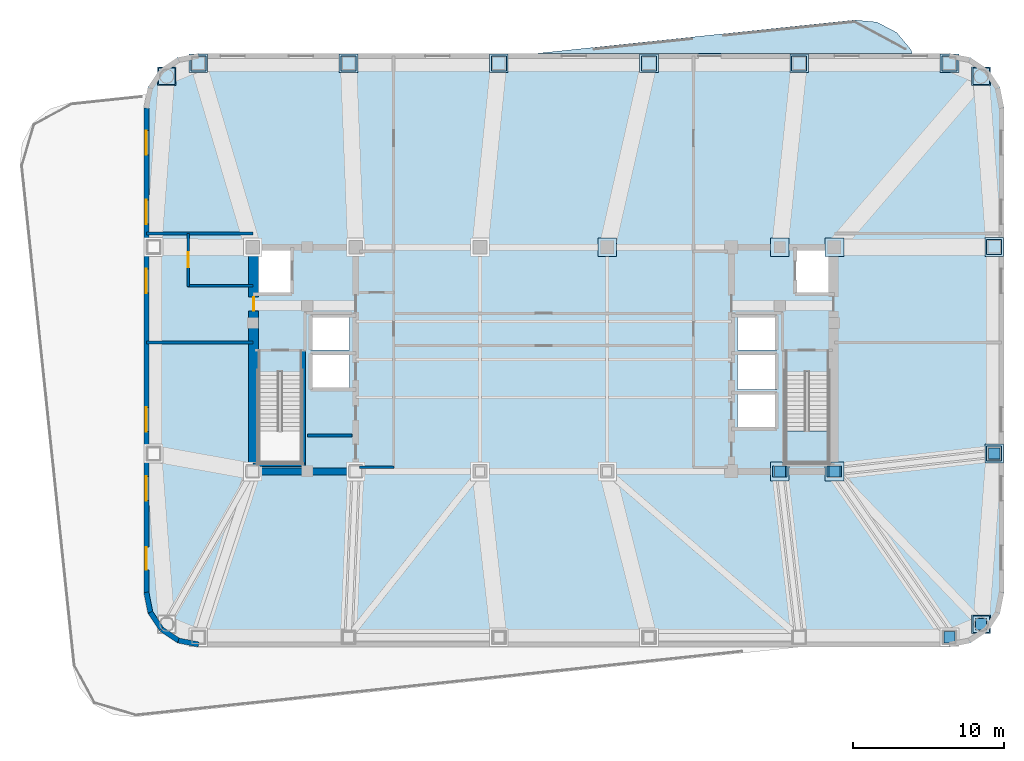
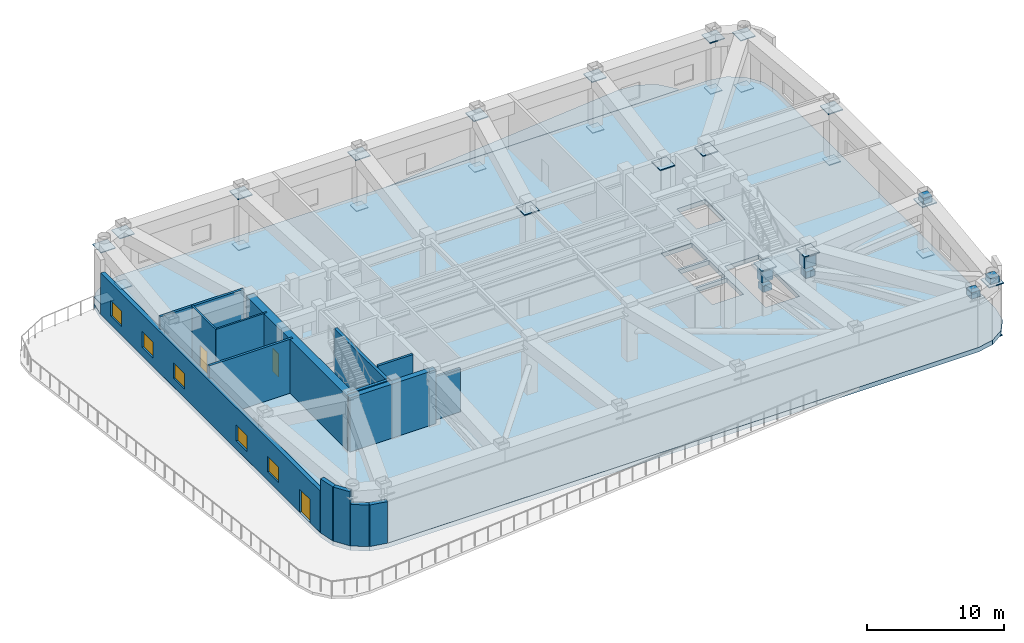
# One storey, part 3 of 10: 34 plates, 15 walls, 5 windows, 3 doors, 3 slabs, 8 openings, 1 element without a shape of its own.
"""IFC4 building model written with IfcOpenShell, lengths in metres."""

from ifc_helpers import new_model, si_unit, direction, frame, frame_2d, origin, origin_2d, place, context, subcontext, project, spatial, polyline, rectangle, outline, extrude, material, layer, layer_set, type_object, element, fill, aggregate, save


model = new_model("IFC4")

# Units and contexts
model_context = context("Model", 3, precision=1e-05, world=origin(), true_north=direction((0.0, 1.0)))
body_context = subcontext(model_context, "Body", "Model", "MODEL_VIEW")
ifc_project = project(units=[si_unit("LENGTHUNIT", "METRE"), si_unit("AREAUNIT", "SQUARE_METRE"), si_unit("VOLUMEUNIT", "CUBIC_METRE"), si_unit("PLANEANGLEUNIT", "RADIAN"), si_unit("MASSUNIT", "GRAM", prefix="KILO")], contexts=[model_context])

# Site, building, storey
site_placement = place(None, origin())
site = spatial("IfcSite", under=ifc_project, at=site_placement, CompositionType="ELEMENT")
building_placement = place(site_placement, origin())
building = spatial("IfcBuilding", under=site, at=building_placement, Name="Voryun Gate Residences", CompositionType="ELEMENT")
storey_placement = place(building_placement, frame((0.0, 0.0, 195.0)))
storey = spatial("IfcBuildingStorey", under=building, at=storey_placement, Name="L48", CompositionType="ELEMENT", Elevation=195.0)

# Plates
ifc_material_1 = material(Name="Steel SM355", Category="steel")
ifc_layer_1 = layer(ifc_material_1, 0.02490234375, Name="PLT_END_CAP_25")
ifc_layer_set_1 = layer_set([ifc_layer_1], Name="Steel SM355")
plate_type_1 = type_object("IfcPlateType", Name="PLT_END_CAP_25", PredefinedType="USERDEFINED", material=ifc_layer_set_1)
plate_1_placement = place(storey_placement, frame((28.885986328125, -17.486083984375, -0.43994140625), z_axis=(0.0, 0.0, 1.0), x_axis=(1.0, 0.0, 0.0)))
element("IfcPlate", 1, at=plate_1_placement, inside=storey, type_object=plate_type_1, Name="L48 Hollow Member End-Cap Plate EC-589", ObjectType="BASE_PLATE", PredefinedType="USERDEFINED", context=body_context, shape_type="SweptSolid", body=[
    extrude(rectangle(XDim=1.090087890625, YDim=1.090087890625, at=origin_2d()), origin(), (0.0, 0.0, 1.0), 0.080078125),
])
for number, where, z_axis, x_axis, name in (
    (2, (29.75, -6.221923828125, -0.43994140625), (0.0, 0.0, 1.0), (1.0, 0.0, 0.0), "L48 Hollow Member End-Cap Plate EC-590"),
    (3, (29.75, 7.422119140625, -0.43994140625), (0.0, 0.0, 1.0), (1.0, 0.0, 0.0), "L48 Hollow Member End-Cap Plate EC-591"),
):
    element("IfcPlate", number, at=place(storey_placement, frame(where, z_axis=z_axis, x_axis=x_axis)), inside=storey, type_object=plate_type_1, Name=name, ObjectType="BASE_PLATE", PredefinedType="USERDEFINED", context=body_context, shape_type="SweptSolid", body=[
        extrude(rectangle(XDim=0.989990234375, YDim=0.989990234375, at=origin_2d()), origin(), (0.0, 0.0, 1.0), 0.080078125),
    ])
plate_2_placement = place(storey_placement, frame((28.885986328125, 18.68603515625, -0.43994140625), z_axis=(0.0, 0.0, 1.0), x_axis=(1.0, 0.0, 0.0)))
element("IfcPlate", 4, at=plate_2_placement, inside=storey, type_object=plate_type_1, Name="L48 Hollow Member End-Cap Plate EC-592", ObjectType="BASE_PLATE", PredefinedType="USERDEFINED", context=body_context, shape_type="SweptSolid", body=[
    extrude(rectangle(XDim=1.090087890625, YDim=1.090087890625, at=origin_2d()), origin(), (0.0, 0.0, 1.0), 0.080078125),
])
for number, where, z_axis, x_axis, name in (
    (5, (26.800048828125, 19.550048828125, -0.43994140625), (0.0, 0.0, 1.0), (1.0, 0.0, 0.0), "L48 Hollow Member End-Cap Plate EC-593"),
    (6, (16.8798828125, 19.550048828125, -0.43994140625), (0.0, 0.0, 1.0), (1.0, 0.0, 0.0), "L48 Hollow Member End-Cap Plate EC-594"),
    (7, (6.9599609375, 19.550048828125, -0.43994140625), (0.0, 0.0, 1.0), (1.0, 0.0, 0.0), "L48 Hollow Member End-Cap Plate EC-595"),
    (8, (-2.9599609375, 19.550048828125, -0.43994140625), (0.0, 0.0, 1.0), (1.0, 0.0, 0.0), "L48 Hollow Member End-Cap Plate EC-596"),
    (9, (-12.8798828125, 19.550048828125, -0.43994140625), (0.0, 0.0, 1.0), (1.0, 0.0, 0.0), "L48 Hollow Member End-Cap Plate EC-597"),
    (10, (-22.800048828125, 19.550048828125, -0.43994140625), (0.0, 0.0, 1.0), (1.0, 0.0, 0.0), "L48 Hollow Member End-Cap Plate EC-598"),
):
    element("IfcPlate", number, at=place(storey_placement, frame(where, z_axis=z_axis, x_axis=x_axis)), inside=storey, type_object=plate_type_1, Name=name, ObjectType="BASE_PLATE", PredefinedType="USERDEFINED", context=body_context, shape_type="SweptSolid", body=[
        extrude(rectangle(XDim=0.989990234375, YDim=0.989990234375, at=origin_2d()), origin(), (0.0, 0.0, 1.0), 0.080078125),
    ])
plate_3_placement = place(storey_placement, frame((-24.885986328125, 18.68603515625, -0.43994140625), z_axis=(0.0, 0.0, 1.0), x_axis=(1.0, 0.0, 0.0)))
element("IfcPlate", 11, at=plate_3_placement, inside=storey, type_object=plate_type_1, Name="L48 Hollow Member End-Cap Plate EC-599", ObjectType="BASE_PLATE", PredefinedType="USERDEFINED", context=body_context, shape_type="SweptSolid", body=[
    extrude(rectangle(XDim=1.090087890625, YDim=1.090087890625, at=origin_2d()), origin(), (0.0, 0.0, 1.0), 0.080078125),
])
for number, where, z_axis, x_axis, name in (
    (12, (28.885986328125, -17.486083984375, 4.2099609375), (0.0, 0.0, 1.0), (1.0, 0.0, 0.0), "L48 Hollow Member End-Cap Plate EC-607"),
    (13, (29.75, -6.221923828125, 4.2099609375), (0.0, 0.0, 1.0), (1.0, 0.0, 0.0), "L48 Hollow Member End-Cap Plate EC-608"),
    (14, (29.75, 7.422119140625, 4.2099609375), (0.0, 0.0, 1.0), (1.0, 0.0, 0.0), "L48 Hollow Member End-Cap Plate EC-609"),
    (15, (28.885986328125, 18.68603515625, 4.2099609375), (0.0, 0.0, 1.0), (1.0, 0.0, 0.0), "L48 Hollow Member End-Cap Plate EC-610"),
    (16, (26.800048828125, 19.550048828125, 4.2099609375), (0.0, 0.0, 1.0), (1.0, 0.0, 0.0), "L48 Hollow Member End-Cap Plate EC-611"),
    (17, (16.8798828125, 19.550048828125, 4.2099609375), (0.0, 0.0, 1.0), (1.0, 0.0, 0.0), "L48 Hollow Member End-Cap Plate EC-612"),
    (18, (6.9599609375, 19.550048828125, 4.2099609375), (0.0, 0.0, 1.0), (1.0, 0.0, 0.0), "L48 Hollow Member End-Cap Plate EC-613"),
    (19, (-2.9599609375, 19.550048828125, 4.2099609375), (0.0, 0.0, 1.0), (1.0, 0.0, 0.0), "L48 Hollow Member End-Cap Plate EC-614"),
    (20, (-12.8798828125, 19.550048828125, 4.2099609375), (0.0, 0.0, 1.0), (1.0, 0.0, 0.0), "L48 Hollow Member End-Cap Plate EC-615"),
    (21, (-22.800048828125, 19.550048828125, 4.2099609375), (0.0, 0.0, 1.0), (1.0, 0.0, 0.0), "L48 Hollow Member End-Cap Plate EC-616"),
    (22, (-24.885986328125, 18.68603515625, 4.2099609375), (0.0, 0.0, 1.0), (1.0, 0.0, 0.0), "L48 Hollow Member End-Cap Plate EC-617"),
    (23, (15.60009765625, -7.39990234375, 4.2099609375), (0.0, 0.0, 1.0), (1.0, 0.0, 0.0), "L48 Hollow Member End-Cap Plate EC-627"),
    (24, (19.199951171875, -7.39990234375, 4.2099609375), (0.0, 0.0, 1.0), (1.0, 0.0, 0.0), "L48 Hollow Member End-Cap Plate EC-628"),
    (25, (19.199951171875, 7.39990234375, 4.2099609375), (0.0, 0.0, 1.0), (1.0, 0.0, 0.0), "L48 Hollow Member End-Cap Plate EC-629"),
    (26, (15.60009765625, 7.39990234375, 4.2099609375), (0.0, 0.0, 1.0), (1.0, 0.0, 0.0), "L48 Hollow Member End-Cap Plate EC-630"),
    (27, (4.199951171875, 7.39990234375, 4.2099609375), (0.0, 0.0, 1.0), (1.0, 0.0, 0.0), "L48 Hollow Member End-Cap Plate EC-631"),
):
    element("IfcPlate", number, at=place(storey_placement, frame(where, z_axis=z_axis, x_axis=x_axis)), inside=storey, type_object=plate_type_1, Name=name, ObjectType="BASE_PLATE", PredefinedType="USERDEFINED", context=body_context, shape_type="SweptSolid", body=[
        extrude(rectangle(XDim=1.239990234375, YDim=1.239990234375, at=origin_2d()), origin(), (0.0, 0.0, 1.0), 0.080078125),
    ])
for number, where, z_axis, x_axis, name in (
    (28, (15.60009765625, -7.39990234375, 2.119873046875), (0.0, 0.0, 1.0), (1.0, 0.0, 0.0), "L48 Brace Node Connection Plate BN-642"),
    (29, (26.800048828125, -18.35009765625, 4.27001953125), (0.0, 0.0, 1.0), (1.0, 0.0, 0.0), "L48 Brace Node Connection Plate BN-644"),
    (30, (29.75, -6.221923828125, 4.27001953125), (0.0, 0.0, 1.0), (1.0, 0.0, 0.0), "L48 Brace Node Connection Plate BN-646"),
):
    element("IfcPlate", number, at=place(storey_placement, frame(where, z_axis=z_axis, x_axis=x_axis)), inside=storey, type_object=plate_type_1, Name=name, ObjectType="BASE_PLATE", PredefinedType="USERDEFINED", context=body_context, shape_type="SweptSolid", body=[
        extrude(rectangle(XDim=0.739990234375, YDim=0.739990234375, at=origin_2d()), origin(), (0.0, 0.0, 1.0), 0.56005859375),
    ])
ifc_material_2 = material(Name="Steel SM420", Category="steel")
ifc_layer_2 = layer(ifc_material_2, 0.035888671875, Name="PLT_OUTRIGGER_GUSSET_36")
ifc_layer_set_2 = layer_set([ifc_layer_2], Name="Steel SM420")
plate_type_2 = type_object("IfcPlateType", Name="PLT_OUTRIGGER_GUSSET_36", PredefinedType="USERDEFINED", material=ifc_layer_set_2)
for number, where, z_axis, x_axis, name in (
    (31, (15.60009765625, -7.39990234375, 3.0), (0.0, 0.0, 1.0), (1.0, 0.0, 0.0), "L48 Outrigger Gusset Plate ON-S5"),
    (32, (19.199951171875, -7.39990234375, 3.0), (0.0, 0.0, 1.0), (1.0, 0.0, 0.0), "L48 Outrigger Gusset Plate ON-S6"),
):
    element("IfcPlate", number, at=place(storey_placement, frame(where, z_axis=z_axis, x_axis=x_axis)), inside=storey, type_object=plate_type_2, Name=name, ObjectType="GUSSET_PLATE", PredefinedType="USERDEFINED", context=body_context, shape_type="SweptSolid", body=[
        extrude(rectangle(XDim=0.949951171875, YDim=0.719970703125, at=origin_2d()), origin(), (0.0, 0.0, 1.0), 0.949951171875),
    ])
for number, where, z_axis, x_axis, name in (
    (33, (19.199951171875, -7.39990234375, 2.119873046875), (0.0, 0.0, 1.0), (1.0, 0.0, 0.0), "L48 Brace Node Connection Plate BN-643"),
    (34, (28.885986328125, -17.486083984375, 4.27001953125), (0.0, 0.0, 1.0), (1.0, 0.0, 0.0), "L48 Brace Node Connection Plate BN-645"),
):
    element("IfcPlate", number, at=place(storey_placement, frame(where, z_axis=z_axis, x_axis=x_axis)), inside=storey, type_object=plate_type_2, Name=name, ObjectType="GUSSET_PLATE", PredefinedType="USERDEFINED", context=body_context, shape_type="SweptSolid", body=[
        extrude(rectangle(XDim=0.739990234375, YDim=0.739990234375, at=origin_2d()), origin(), (0.0, 0.0, 1.0), 0.56005859375),
    ])

# Stair, slab
ifc_material_3 = material(Name="Concrete C40/50", Category="concrete")
stair_type = type_object("IfcStairType", Name="STR_CORE_DOGLEG_1350", PredefinedType="HALF_TURN_STAIR", material=ifc_material_3)
stair_placement = place(storey_placement, origin())
stair = element("IfcStair", 35, at=stair_placement, inside=storey, type_object=stair_type, Name="L48 Special Escape Stair ST-E1", PredefinedType="HALF_TURN_STAIR")
ifc_material_4 = material(Name="Concrete C40/50", Category="concrete")
ifc_layer_3 = layer(ifc_material_4, 0.199951171875, Name="SLB_STAIR_LANDING_200")
ifc_layer_set_3 = layer_set([ifc_layer_3], Name="Concrete C40/50")
slab_type_1 = type_object("IfcSlabType", Name="SLB_STAIR_LANDING_200", PredefinedType="LANDING", material=ifc_layer_set_3)
slab_1_placement = place(storey_placement, frame((0.0, 0.0, 2.39990234375)))
slab_1 = element("IfcSlab", 36, at=slab_1_placement, type_object=slab_type_1, Name="ST-E1 landing 1", PredefinedType="LANDING", context=body_context, shape_type="SweptSolid", body=[
    extrude(outline(polyline([(15.97509765625, -4.719970703125), (15.97509765625, -6.85009765625), (18.824951171875, -6.85009765625), (18.824951171875, -4.719970703125), (15.97509765625, -4.719970703125)])), origin(), (0.0, 0.0, 1.0), 0.2001953125),
])
aggregate(stair, [slab_1])

# Slabs
ifc_material_5 = material(Name="Concrete C40/50", Category="concrete")
ifc_layer_4 = layer(ifc_material_5, 0.239990234375, Name="SLB_TERRACE_ROOF_240")
ifc_layer_set_4 = layer_set([ifc_layer_4], Name="Concrete C40/50")
slab_type_2 = type_object("IfcSlabType", Name="SLB_TERRACE_ROOF_240", PredefinedType="ROOF", material=ifc_layer_set_4)
slab_2_placement = place(storey_placement, frame((0.0, 0.0, -0.239990234375)))
element("IfcSlab", 37, at=slab_2_placement, inside=storey, type_object=slab_type_2, Name="Spiralling Setback Sky-Garden Terrace Roof 1", PredefinedType="ROOF", context=body_context, shape_type="SweptSolid", body=[
    extrude(outline(polyline([(20.525146484375, 22.406005859375), (22.001708984375, 22.270263671875), (23.313720703125, 21.580078125), (24.261962890625, 20.43994140625), (24.3349609375, 20.205078125), (-0.415771484375, 20.205078125), (20.525146484375, 22.406005859375)])), origin(), (0.0, 0.0, 1.0), 0.239990234375),
])
ifc_material_6 = material(Name="Concrete C50/60", Category="concrete")
ifc_layer_5 = layer(ifc_material_6, 0.39990234375, Name="SLB_XFER_400")
ifc_layer_set_5 = layer_set([ifc_layer_5], Name="Concrete C50/60")
slab_type_3 = type_object("IfcSlabType", Name="SLB_XFER_400", PredefinedType="FLOOR", material=ifc_layer_set_5)
slab_3_placement = place(storey_placement, frame((0.0, 0.0, -0.39990234375)))
element("IfcSlab", 38, at=slab_3_placement, inside=storey, type_object=slab_type_3, Name="L48 Structural Floor Slab", PredefinedType="FLOOR", context=body_context, shape_type="SweptSolid", body=[
    extrude(outline(polyline([(-22.800048828125, -19.0), (-24.177734375, -18.72607421875), (-25.345458984375, -17.945556640625), (-26.1259765625, -16.777587890625), (-26.39990234375, -15.39990234375), (-26.39990234375, 16.60009765625), (-26.1259765625, 17.9775390625), (-25.345458984375, 19.1455078125), (-24.177734375, 19.926025390625), (-22.800048828125, 20.199951171875), (26.800048828125, 20.199951171875), (28.177734375, 19.926025390625), (29.345458984375, 19.1455078125), (30.1259765625, 17.9775390625), (30.39990234375, 16.60009765625), (30.39990234375, -15.39990234375), (30.1259765625, -16.777587890625), (29.345458984375, -17.945556640625), (28.177734375, -18.72607421875), (26.800048828125, -19.0), (-22.800048828125, -19.0)]), holes=[polyline([(-15.97509765625, -6.85009765625), (-15.97509765625, -0.840087890625), (-18.824951171875, -0.840087890625), (-18.824951171875, -6.85009765625), (-15.97509765625, -6.85009765625)]), polyline([(18.824951171875, -6.85009765625), (18.824951171875, -0.840087890625), (15.97509765625, -0.840087890625), (15.97509765625, -6.85009765625), (18.824951171875, -6.85009765625)]), polyline([(15.39990234375, -2.199951171875), (12.800048828125, -2.199951171875), (12.800048828125, -4.60009765625), (15.39990234375, -4.60009765625), (15.39990234375, -2.199951171875)]), polyline([(-12.800048828125, 0.39990234375), (-15.39990234375, 0.39990234375), (-15.39990234375, -2.0), (-12.800048828125, -2.0), (-12.800048828125, 0.39990234375)]), polyline([(15.39990234375, 0.39990234375), (12.800048828125, 0.39990234375), (12.800048828125, -2.0), (15.39990234375, -2.0), (15.39990234375, 0.39990234375)]), polyline([(-12.800048828125, 2.89990234375), (-15.39990234375, 2.89990234375), (-15.39990234375, 0.60009765625), (-12.800048828125, 0.60009765625), (-12.800048828125, 2.89990234375)]), polyline([(15.39990234375, 2.89990234375), (12.800048828125, 2.89990234375), (12.800048828125, 0.60009765625), (15.39990234375, 0.60009765625), (15.39990234375, 2.89990234375)]), polyline([(-16.60009765625, 4.300048828125), (-16.60009765625, 7.199951171875), (-19.0, 7.199951171875), (-19.0, 4.300048828125), (-16.60009765625, 4.300048828125)]), polyline([(19.0, 4.300048828125), (19.0, 7.199951171875), (16.60009765625, 7.199951171875), (16.60009765625, 4.300048828125), (19.0, 4.300048828125)])]), origin(), (0.0, 0.0, 1.0), 0.39990234375),
])

# Wall
ifc_material_7 = material(Name="Concrete C50/60", Category="concrete")
ifc_layer_6 = layer(ifc_material_7, 0.449951171875, Name="CW_CORE_450")
ifc_layer_set_6 = layer_set([ifc_layer_6], Name="Concrete C50/60")
wall_type_1 = type_object("IfcWallType", Name="CW_CORE_450", PredefinedType="SHEAR", material=ifc_layer_set_6)
wall_1_placement = place(storey_placement, frame((-19.425048828125, -7.39990234375, 0.0), z_axis=(0.0, 0.0, 1.0), x_axis=(1.0, 0.0, 0.0)))
element("IfcWall", 39, at=wall_1_placement, inside=storey, type_object=wall_type_1, Name="L48 Core shear wall CW-L48-WS", PredefinedType="SHEAR", context=body_context, shape_type="SweptSolid", body=[
    extrude(rectangle(XDim=7.25, YDim=0.449951171875, at=frame_2d((3.625, 0.0))), origin(), (0.0, 0.0, 1.0), 4.800048828125),
])

# Wall, opening, door
ifc_material_8 = material(Name="Concrete C60/75", Category="concrete")
ifc_layer_7 = layer(ifc_material_8, 0.64990234375, Name="CW_CORE_650")
ifc_layer_set_7 = layer_set([ifc_layer_7], Name="Concrete C60/75")
wall_type_2 = type_object("IfcWallType", Name="CW_CORE_650", PredefinedType="SHEAR", material=ifc_layer_set_7)
wall_2_placement = place(storey_placement, frame((-19.14501953125, -7.39990234375, 0.0), z_axis=(0.0, 0.0, 1.0), x_axis=(0.0, 1.0, 0.0)))
wall_2 = element("IfcWall", 40, at=wall_2_placement, inside=storey, type_object=wall_type_2, Name="L48 Core shear wall CW-L48-WW", PredefinedType="SHEAR", context=body_context, shape_type="SweptSolid", body=[
    extrude(rectangle(XDim=14.7998046875, YDim=0.64990234375, at=frame_2d((7.39990234375, 0.0))), origin(), (0.0, 0.0, 1.0), 4.800048828125),
])
opening_1_placement = place(wall_2_placement, frame((10.60009765625, 0.0, 0.0)))
opening_1 = element("IfcOpeningElement", 41, at=opening_1_placement, cuts=wall_2, Name="Opening D-FD60-4", PredefinedType="OPENING", context=body_context, shape_type="SweptSolid", body=[
    extrude(rectangle(XDim=0.89990234375, YDim=2.050048828125, at=frame_2d((0.449951171875, 1.02490234375))), frame((0.0, 0.3349609375, 0.0), z_axis=(0.0, -1.0, 0.0), x_axis=(1.0, 0.0, 0.0)), (0.0, 0.0, 1.0), 0.669921875),
])
ifc_material_9 = material(Name="Painted steel fire door", Category="steel")
door_type_1 = type_object("IfcDoorType", Name="DR_FD60_RISER_900", OperationType="NOTDEFINED", PredefinedType="DOOR", material=ifc_material_9)
door_1_placement = place(opening_1_placement, origin())
door_1 = element("IfcDoor", 42, at=door_1_placement, inside=storey, type_object=door_type_1, Name="Door DR-L48-STREF-W", OperationType="SINGLE_SWING_LEFT", OverallHeight=2.050048828125, OverallWidth=0.89990234375, PredefinedType="DOOR", context=body_context, shape_type="SweptSolid", body=[
    extrude(rectangle(XDim=0.89990234375, YDim=2.050048828125, at=frame_2d((0.449951171875, 1.02490234375))), frame((0.0, 0.02490234375, 0.0), z_axis=(0.0, -1.0, 0.0), x_axis=(1.0, 0.0, 0.0)), (0.0, 0.0, 1.0), 0.050048828125),
])
fill(opening_1, door_1)

# Walls
ifc_material_10 = material(Name="Gypsum acoustic fireboard")
ifc_layer_8 = layer(ifc_material_10, 0.179931640625, Name="W_CORR_RATED_180")
ifc_layer_set_8 = layer_set([ifc_layer_8], Name="Gypsum acoustic fireboard")
wall_type_3 = type_object("IfcWallType", Name="W_CORR_RATED_180", PredefinedType="PARTITIONING", material=ifc_layer_set_8)
wall_3_placement = place(storey_placement, frame((-12.14990234375, -7.1201171875, 0.0), z_axis=(0.0, 0.0, 1.0), x_axis=(1.0, 0.0, 0.0)))
element("IfcWall", 43, at=wall_3_placement, inside=storey, type_object=wall_type_3, Name="Partition wall WP-L48-PLBS-W", PredefinedType="PARTITIONING", context=body_context, shape_type="SweptSolid", body=[
    extrude(rectangle(XDim=2.27001953125, YDim=0.179931640625, at=frame_2d((1.135009765625, 0.0))), origin(), (0.0, 0.0, 1.0), 3.840087890625),
])
ifc_material_11 = material(Name="Charcoal terracotta masonry", Category="masonry")
ifc_layer_9 = layer(ifc_material_11, 0.340087890625, Name="W_EXT_TERRACOTTA_340")
ifc_layer_set_9 = layer_set([ifc_layer_9], Name="Charcoal terracotta masonry")
wall_type_4 = type_object("IfcWallType", Name="W_EXT_TERRACOTTA_340", PredefinedType="ELEMENTEDWALL", material=ifc_layer_set_9)
wall_4_placement = place(storey_placement, frame((-22.783203125, -18.830078125, 0.0), z_axis=(0.0, 0.0, 1.0), x_axis=(-0.980788153188, 0.195075878998, 0.0)))
element("IfcWall", 44, at=wall_4_placement, inside=storey, type_object=wall_type_4, Name="Exterior wall WEXT-L48-02", PredefinedType="ELEMENTEDWALL", context=body_context, shape_type="SweptSolid", body=[
    extrude(rectangle(XDim=1.354248046875, YDim=0.340087890625, at=frame_2d((0.67724609375, 0.0))), origin(), (0.0, 0.0, 1.0), 3.68994140625),
])
wall_5_placement = place(storey_placement, frame((-24.111328125, -18.56591796875, 0.0), z_axis=(0.0, 0.0, 1.0), x_axis=(-0.831403586725, 0.555669034571, 0.0)))
element("IfcWall", 45, at=wall_5_placement, inside=storey, type_object=wall_type_4, Name="Exterior wall WEXT-L48-03", PredefinedType="ELEMENTEDWALL", context=body_context, shape_type="SweptSolid", body=[
    extrude(rectangle(XDim=1.3369140625, YDim=0.340087890625, at=frame_2d((0.66845703125, 0.0))), origin(), (0.0, 0.0, 1.0), 3.68994140625),
])
wall_6_placement = place(storey_placement, frame((-25.222900390625, -17.822998046875, 0.0), z_axis=(0.0, 0.0, 1.0), x_axis=(-0.555584683399, 0.831459956686, 0.0)))
element("IfcWall", 46, at=wall_6_placement, inside=storey, type_object=wall_type_4, Name="Exterior wall WEXT-L48-04", PredefinedType="ELEMENTEDWALL", context=body_context, shape_type="SweptSolid", body=[
    extrude(rectangle(XDim=1.337158203125, YDim=0.340087890625, at=frame_2d((0.66845703125, 0.0))), origin(), (0.0, 0.0, 1.0), 4.800048828125),
])
wall_7_placement = place(storey_placement, frame((-25.9658203125, -16.711181640625, 0.0), z_axis=(0.0, 0.0, 1.0), x_axis=(-0.195110379894, 0.98078129043, 0.0)))
element("IfcWall", 47, at=wall_7_placement, inside=storey, type_object=wall_type_4, Name="Exterior wall WEXT-L48-05", PredefinedType="ELEMENTEDWALL", context=body_context, shape_type="SweptSolid", body=[
    extrude(rectangle(XDim=1.35400390625, YDim=0.340087890625, at=frame_2d((0.677001953125, 0.0))), origin(), (0.0, 0.0, 1.0), 4.800048828125),
])

# Wall, openings, door, windows
wall_8_placement = place(storey_placement, frame((-26.22998046875, -15.38330078125, 0.0), z_axis=(0.0, 0.0, 1.0), x_axis=(0.0, 1.0, 0.0)))
wall_8 = element("IfcWall", 48, at=wall_8_placement, inside=storey, type_object=wall_type_4, Name="Exterior wall WEXT-L48-06", PredefinedType="ELEMENTEDWALL", context=body_context, shape_type="SweptSolid", body=[
    extrude(rectangle(XDim=31.966552734375, YDim=0.340087890625, at=frame_2d((15.9833984375, 0.0))), origin(), (0.0, 0.0, 1.0), 3.68994140625),
])
opening_2_placement = place(wall_8_placement, frame((1.4833984375, 0.0, 0.0)))
opening_2 = element("IfcOpeningElement", 49, at=opening_2_placement, cuts=wall_8, Name="Opening D-TER-1", PredefinedType="OPENING", context=body_context, shape_type="SweptSolid", body=[
    extrude(rectangle(XDim=1.5, YDim=2.050048828125, at=frame_2d((0.75, 1.02490234375))), frame((0.0, 0.179931640625, 0.0), z_axis=(0.0, -1.0, 0.0), x_axis=(1.0, 0.0, 0.0)), (0.0, 0.0, 1.0), 0.360107421875),
])
opening_3_placement = place(wall_8_placement, frame((6.050048828125, 0.0, 0.75)))
opening_3 = element("IfcOpeningElement", 50, at=opening_3_placement, cuts=wall_8, Name="Opening WN8", PredefinedType="OPENING", context=body_context, shape_type="SweptSolid", body=[
    extrude(rectangle(XDim=1.60009765625, YDim=1.39990234375, at=frame_2d((0.800048828125, 0.699951171875))), frame((0.0, 0.179931640625, 0.0), z_axis=(0.0, -1.0, 0.0), x_axis=(1.0, 0.0, 0.0)), (0.0, 0.0, 1.0), 0.360107421875),
])
opening_4_placement = place(wall_8_placement, frame((10.61669921875, 0.0, 0.75)))
opening_4 = element("IfcOpeningElement", 51, at=opening_4_placement, cuts=wall_8, Name="Opening WN8", PredefinedType="OPENING", context=body_context, shape_type="SweptSolid", body=[
    extrude(rectangle(XDim=1.60009765625, YDim=1.39990234375, at=frame_2d((0.800048828125, 0.699951171875))), frame((0.0, 0.179931640625, 0.0), z_axis=(0.0, -1.0, 0.0), x_axis=(1.0, 0.0, 0.0)), (0.0, 0.0, 1.0), 0.360107421875),
])
opening_5_placement = place(wall_8_placement, frame((19.75, 0.0, 0.75)))
opening_5 = element("IfcOpeningElement", 52, at=opening_5_placement, cuts=wall_8, Name="Opening WN8", PredefinedType="OPENING", context=body_context, shape_type="SweptSolid", body=[
    extrude(rectangle(XDim=1.60009765625, YDim=1.39990234375, at=frame_2d((0.800048828125, 0.699951171875))), frame((0.0, 0.179931640625, 0.0), z_axis=(0.0, -1.0, 0.0), x_axis=(1.0, 0.0, 0.0)), (0.0, 0.0, 1.0), 0.360107421875),
])
opening_6_placement = place(wall_8_placement, frame((24.316650390625, 0.0, 0.75)))
opening_6 = element("IfcOpeningElement", 53, at=opening_6_placement, cuts=wall_8, Name="Opening WN8", PredefinedType="OPENING", context=body_context, shape_type="SweptSolid", body=[
    extrude(rectangle(XDim=1.60009765625, YDim=1.39990234375, at=frame_2d((0.800048828125, 0.699951171875))), frame((0.0, 0.179931640625, 0.0), z_axis=(0.0, -1.0, 0.0), x_axis=(1.0, 0.0, 0.0)), (0.0, 0.0, 1.0), 0.360107421875),
])
opening_7_placement = place(wall_8_placement, frame((28.88330078125, 0.0, 0.75)))
opening_7 = element("IfcOpeningElement", 54, at=opening_7_placement, cuts=wall_8, Name="Opening WN8", PredefinedType="OPENING", context=body_context, shape_type="SweptSolid", body=[
    extrude(rectangle(XDim=1.60009765625, YDim=1.39990234375, at=frame_2d((0.800048828125, 0.699951171875))), frame((0.0, 0.179931640625, 0.0), z_axis=(0.0, -1.0, 0.0), x_axis=(1.0, 0.0, 0.0)), (0.0, 0.0, 1.0), 0.360107421875),
])
ifc_material_12 = material(Name="Thermally broken aluminium and low-E glass", Category="aluminium")
door_type_2 = type_object("IfcDoorType", Name="DR_TERR_EXIT_1500", OperationType="NOTDEFINED", PredefinedType="DOOR", material=ifc_material_12)
door_2_placement = place(opening_2_placement, origin())
door_2 = element("IfcDoor", 55, at=door_2_placement, inside=storey, type_object=door_type_2, Name="Door DR-L48-OUT-02", OperationType="DOUBLE_DOOR_SINGLE_SWING", OverallHeight=2.050048828125, OverallWidth=1.5, PredefinedType="DOOR", context=body_context, shape_type="SweptSolid", body=[
    extrude(rectangle(XDim=1.5, YDim=2.050048828125, at=frame_2d((0.75, 1.02490234375))), frame((0.0, 0.02490234375, 0.0), z_axis=(0.0, -1.0, 0.0), x_axis=(1.0, 0.0, 0.0)), (0.0, 0.0, 1.0), 0.050048828125),
])
fill(opening_2, door_2)
ifc_material_13 = material(Name="Anodised aluminium", Category="aluminium")
window_type = type_object("IfcWindowType", Name="WN_REFUGE_LOUVRE_1600", PartitioningType="SINGLE_PANEL", PredefinedType="WINDOW", material=ifc_material_13)
window_1_placement = place(opening_3_placement, origin())
window_1 = element("IfcWindow", 56, at=window_1_placement, inside=storey, type_object=window_type, Name="Window WN-L48-LV-06-02", OverallHeight=1.39990234375, OverallWidth=1.60009765625, PartitioningType="SINGLE_PANEL", PredefinedType="WINDOW", context=body_context, shape_type="SweptSolid", body=[
    extrude(rectangle(XDim=1.60009765625, YDim=1.39990234375, at=frame_2d((0.800048828125, 0.699951171875))), frame((0.0, 0.030029296875, 0.0), z_axis=(0.0, -1.0, 0.0), x_axis=(1.0, 0.0, 0.0)), (0.0, 0.0, 1.0), 0.06005859375),
])
fill(opening_3, window_1)
window_2_placement = place(opening_4_placement, origin())
window_2 = element("IfcWindow", 57, at=window_2_placement, inside=storey, type_object=window_type, Name="Window WN-L48-LV-06-03", OverallHeight=1.39990234375, OverallWidth=1.60009765625, PartitioningType="SINGLE_PANEL", PredefinedType="WINDOW", context=body_context, shape_type="SweptSolid", body=[
    extrude(rectangle(XDim=1.60009765625, YDim=1.39990234375, at=frame_2d((0.800048828125, 0.699951171875))), frame((0.0, 0.030029296875, 0.0), z_axis=(0.0, -1.0, 0.0), x_axis=(1.0, 0.0, 0.0)), (0.0, 0.0, 1.0), 0.06005859375),
])
fill(opening_4, window_2)
window_3_placement = place(opening_5_placement, origin())
window_3 = element("IfcWindow", 58, at=window_3_placement, inside=storey, type_object=window_type, Name="Window WN-L48-LV-06-05", OverallHeight=1.39990234375, OverallWidth=1.60009765625, PartitioningType="SINGLE_PANEL", PredefinedType="WINDOW", context=body_context, shape_type="SweptSolid", body=[
    extrude(rectangle(XDim=1.60009765625, YDim=1.39990234375, at=frame_2d((0.800048828125, 0.699951171875))), frame((0.0, 0.030029296875, 0.0), z_axis=(0.0, -1.0, 0.0), x_axis=(1.0, 0.0, 0.0)), (0.0, 0.0, 1.0), 0.06005859375),
])
fill(opening_5, window_3)
window_4_placement = place(opening_6_placement, origin())
window_4 = element("IfcWindow", 59, at=window_4_placement, inside=storey, type_object=window_type, Name="Window WN-L48-LV-06-06", OverallHeight=1.39990234375, OverallWidth=1.60009765625, PartitioningType="SINGLE_PANEL", PredefinedType="WINDOW", context=body_context, shape_type="SweptSolid", body=[
    extrude(rectangle(XDim=1.60009765625, YDim=1.39990234375, at=frame_2d((0.800048828125, 0.699951171875))), frame((0.0, 0.030029296875, 0.0), z_axis=(0.0, -1.0, 0.0), x_axis=(1.0, 0.0, 0.0)), (0.0, 0.0, 1.0), 0.06005859375),
])
fill(opening_6, window_4)
window_5_placement = place(opening_7_placement, origin())
window_5 = element("IfcWindow", 60, at=window_5_placement, inside=storey, type_object=window_type, Name="Window WN-L48-LV-06-07", OverallHeight=1.39990234375, OverallWidth=1.60009765625, PartitioningType="SINGLE_PANEL", PredefinedType="WINDOW", context=body_context, shape_type="SweptSolid", body=[
    extrude(rectangle(XDim=1.60009765625, YDim=1.39990234375, at=frame_2d((0.800048828125, 0.699951171875))), frame((0.0, 0.030029296875, 0.0), z_axis=(0.0, -1.0, 0.0), x_axis=(1.0, 0.0, 0.0)), (0.0, 0.0, 1.0), 0.06005859375),
])
fill(opening_7, window_5)

# Walls
ifc_material_14 = material(Name="Concrete C40/50", Category="concrete")
ifc_layer_10 = layer(ifc_material_14, 0.199951171875, Name="W_FF_LOBBY_200")
ifc_layer_set_10 = layer_set([ifc_layer_10], Name="Concrete C40/50")
wall_type_5 = type_object("IfcWallType", Name="W_FF_LOBBY_200", PredefinedType="PARTITIONING", material=ifc_layer_set_10)
wall_9_placement = place(storey_placement, frame((-15.60009765625, -5.030029296875, 0.0), z_axis=(0.0, 0.0, 1.0), x_axis=(1.0, 0.0, 0.0)))
element("IfcWall", 61, at=wall_9_placement, inside=storey, type_object=wall_type_5, Name="Partition wall WP-L48-RECWB", PredefinedType="PARTITIONING", context=body_context, shape_type="SweptSolid", body=[
    extrude(rectangle(XDim=2.940185546875, YDim=0.199951171875, at=frame_2d((1.47021484375, 0.0))), origin(), (0.0, 0.0, 1.0), 4.800048828125),
])
for number, where, z_axis, x_axis, name in (
    (62, (-26.22998046875, 1.1201171875, 0.0), (0.0, 0.0, 1.0), (1.0, 0.0, 0.0), "Partition wall WP-L48-PWN"),
    (63, (-26.22998046875, 8.300048828125, 0.0), (0.0, 0.0, 1.0), (1.0, 0.0, 0.0), "Partition wall WP-L48-RFNW"),
):
    element("IfcWall", number, at=place(storey_placement, frame(where, z_axis=z_axis, x_axis=x_axis)), inside=storey, type_object=wall_type_5, Name=name, PredefinedType="PARTITIONING", context=body_context, shape_type="SweptSolid", body=[
        extrude(rectangle(XDim=7.030029296875, YDim=0.199951171875, at=frame_2d((3.51513671875, 0.0))), origin(), (0.0, 0.0, 1.0), 4.800048828125),
    ])
ifc_material_15 = material(Name="Concrete C50/60", Category="concrete")
ifc_layer_11 = layer(ifc_material_15, 0.25, Name="W_SHAFT_RC250")
ifc_layer_set_11 = layer_set([ifc_layer_11], Name="Concrete C50/60")
wall_type_6 = type_object("IfcWallType", Name="W_SHAFT_RC250", PredefinedType="SOLIDWALL", material=ifc_layer_set_11)
wall_10_placement = place(storey_placement, frame((-15.860107421875, -7.0849609375, 0.0), z_axis=(0.0, 0.0, 1.0), x_axis=(0.0, 1.0, 0.0)))
element("IfcWall", 64, at=wall_10_placement, inside=storey, type_object=wall_type_6, Name="L48 Stair shaft structural wall W-STR", PredefinedType="SOLIDWALL", context=body_context, shape_type="SweptSolid", body=[
    extrude(rectangle(XDim=7.68505859375, YDim=0.25, at=frame_2d((3.842529296875, 0.0))), origin(), (0.0, 0.0, 1.0), 4.800048828125),
])
wall_11_placement = place(storey_placement, frame((-19.199951171875, -6.965087890625, 0.0), z_axis=(0.0, 0.0, 1.0), x_axis=(1.0, 0.0, 0.0)))
element("IfcWall", 65, at=wall_11_placement, inside=storey, type_object=wall_type_6, Name="L48 Stair shaft structural wall W-STS", PredefinedType="SOLIDWALL", context=body_context, shape_type="SweptSolid", body=[
    extrude(rectangle(XDim=3.4599609375, YDim=0.25, at=frame_2d((1.72998046875, 0.0))), origin(), (0.0, 0.0, 1.0), 4.800048828125),
])

# Wall, opening, door
ifc_material_16 = material(Name="Gypsum moisture-resistant partition")
ifc_layer_12 = layer(ifc_material_16, 0.14990234375, Name="W_WET_PLUMB_150")
ifc_layer_set_12 = layer_set([ifc_layer_12], Name="Gypsum moisture-resistant partition")
wall_type_7 = type_object("IfcWallType", Name="W_WET_PLUMB_150", PredefinedType="PLUMBINGWALL", material=ifc_layer_set_12)
wall_12_placement = place(storey_placement, frame((-23.4599609375, 4.820068359375, 0.0), z_axis=(0.0, 0.0, 1.0), x_axis=(0.0, 1.0, 0.0)))
wall_12 = element("IfcWall", 66, at=wall_12_placement, inside=storey, type_object=wall_type_7, Name="Partition wall WP-L48-RFWCW", PredefinedType="PLUMBINGWALL", context=body_context, shape_type="SweptSolid", body=[
    extrude(rectangle(XDim=3.5, YDim=0.14990234375, at=frame_2d((1.75, 0.0))), origin(), (0.0, 0.0, 1.0), 4.800048828125),
])
opening_8_placement = place(wall_12_placement, frame((1.25, 0.0, 0.0)))
opening_8 = element("IfcOpeningElement", 67, at=opening_8_placement, cuts=wall_12, Name="Opening D-AWC-1", PredefinedType="OPENING", context=body_context, shape_type="SweptSolid", body=[
    extrude(rectangle(XDim=1.0, YDim=2.050048828125, at=frame_2d((0.5, 1.02490234375))), frame((0.0, 0.0849609375, 0.0), z_axis=(0.0, -1.0, 0.0), x_axis=(1.0, 0.0, 0.0)), (0.0, 0.0, 1.0), 0.169921875),
])
ifc_material_17 = material(Name="Architectural oak veneer")
door_type_3 = type_object("IfcDoorType", Name="DR_ACC_WC_1000", OperationType="NOTDEFINED", PredefinedType="DOOR", material=ifc_material_17)
door_3_placement = place(opening_8_placement, origin())
door_3 = element("IfcDoor", 68, at=door_3_placement, inside=storey, type_object=door_type_3, Name="Door DR-L48-RFWC", OperationType="SINGLE_SWING_LEFT", OverallHeight=2.050048828125, OverallWidth=1.0, PredefinedType="DOOR", context=body_context, shape_type="SweptSolid", body=[
    extrude(rectangle(XDim=1.0, YDim=2.050048828125, at=frame_2d((0.5, 1.02490234375))), frame((0.0, 0.02490234375, 0.0), z_axis=(0.0, -1.0, 0.0), x_axis=(1.0, 0.0, 0.0)), (0.0, 0.0, 1.0), 0.050048828125),
])
fill(opening_8, door_3)

# Wall
wall_13_placement = place(storey_placement, frame((-23.52001953125, 4.860107421875, 0.0), z_axis=(0.0, 0.0, 1.0), x_axis=(1.0, 0.0, 0.0)))
element("IfcWall", 69, at=wall_13_placement, inside=storey, type_object=wall_type_7, Name="Partition wall WP-L48-RFWCS", PredefinedType="PLUMBINGWALL", context=body_context, shape_type="SweptSolid", body=[
    extrude(rectangle(XDim=4.320068359375, YDim=0.14990234375, at=frame_2d((2.16015625, 0.0))), origin(), (0.0, 0.0, 1.0), 4.800048828125),
])

save(model, "model.ifc")
